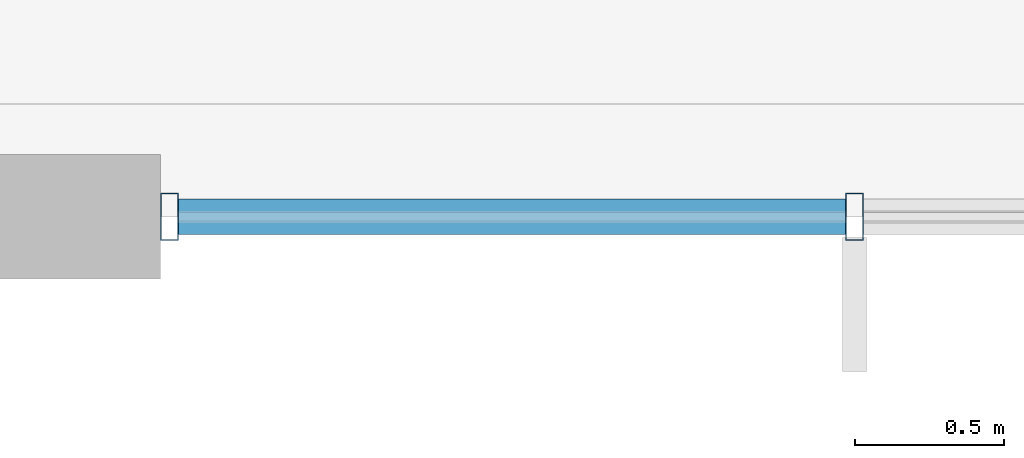
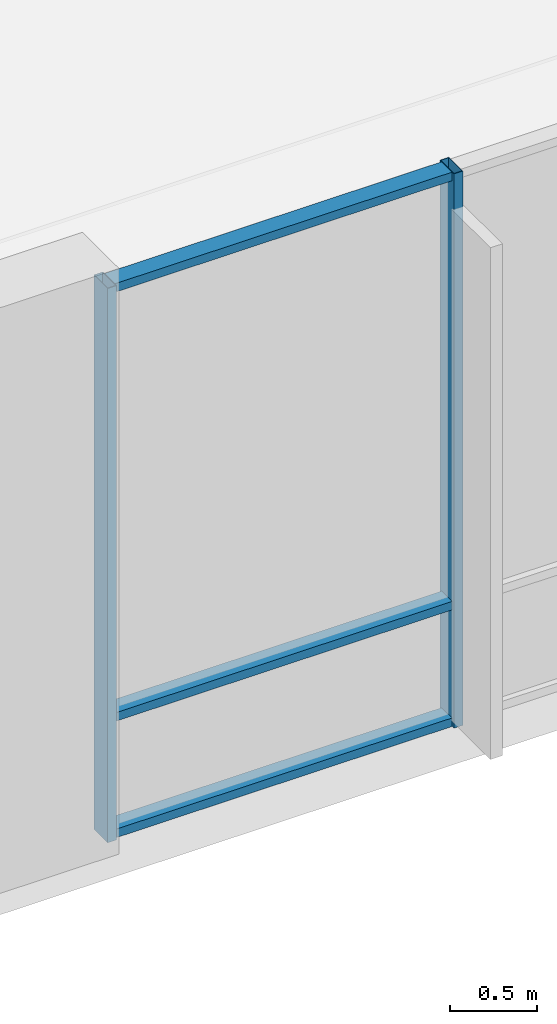
# One storey, part 39 of 233: 5 members, 1 element without a shape of its own.
"""IFC4 building model written with IfcOpenShell, lengths in metres."""

from ifc_helpers import new_model, si_unit, direction, frame, origin, origin_2d, place, context, subcontext, project, spatial, hollow_rectangle, extrude, material, material_profile, profile_set, type_object, element, aggregate, save


model = new_model("IFC4")

# Units and contexts
model_context = context("Model", 3, precision=1e-05, world=origin(), true_north=direction((0.0, 1.0)))
body_context = subcontext(model_context, "Body", "Model", "MODEL_VIEW")
ifc_project = project(units=[si_unit("LENGTHUNIT", "METRE"), si_unit("AREAUNIT", "SQUARE_METRE"), si_unit("VOLUMEUNIT", "CUBIC_METRE"), si_unit("PLANEANGLEUNIT", "RADIAN"), si_unit("MASSUNIT", "GRAM", prefix="KILO")], contexts=[model_context])

# Site, building, storey
site_placement = place(None, origin())
site = spatial("IfcSite", under=ifc_project, at=site_placement, CompositionType="ELEMENT")
building_placement = place(site_placement, origin())
building = spatial("IfcBuilding", under=site, at=building_placement, Name="Zavelmont Quarter", CompositionType="ELEMENT")
storey_placement = place(building_placement, origin())
storey = spatial("IfcBuildingStorey", under=building, at=storey_placement, Name="L00", CompositionType="ELEMENT", Elevation=0.0)

# Curtain wall, members
ifc_material_1 = material(Name="Thermally broken aluminium and double low-E safety glazing", Category="aluminium")
curtain_wall_type = type_object("IfcCurtainWallType", Name="CW-700X390", PredefinedType="NOTDEFINED", material=ifc_material_1)
curtain_wall_placement = place(storey_placement, origin())
curtain_wall = element("IfcCurtainWall", 1, at=curtain_wall_placement, inside=storey, type_object=curtain_wall_type, Name="L00 unitised curtain wall CW-700X390", PredefinedType="NOTDEFINED")
ifc_material_2 = material(Name="Powder-coated aluminium EN AW-6063-T6", Category="aluminium")
ifc_material_profile_1 = material_profile(ifc_material_2, hollow_rectangle(XDim=0.06005859375, YDim=0.159912109375, WallThickness=0.00390625, at=origin_2d()), Name="CWM60X160")
ifc_profile_set_1 = profile_set([ifc_material_profile_1], Name="Powder-coated aluminium EN AW-6063-T6")
member_type_1 = type_object("IfcMemberType", Name="CWM01", PredefinedType="MULLION", material=ifc_profile_set_1)
member_1_placement = place(storey_placement, frame((60.830078125, 0.0, 0.0), z_axis=(0.0, 0.0, 1.0), x_axis=(1.0, 0.0, 0.0)))
member_1 = element("IfcMember", 2, at=member_1_placement, type_object=member_type_1, Name="CW-700X390 mullion 1", PredefinedType="MULLION", context=body_context, shape_type="SweptSolid", body=[
    extrude(hollow_rectangle(XDim=0.06005859375, YDim=0.159912109375, WallThickness=0.00390625, at=origin_2d()), origin(), (0.0, 0.0, 1.0), 3.89990234375),
])
member_2_placement = place(storey_placement, frame((63.13330078125, 0.0, 0.0), z_axis=(0.0, 0.0, 1.0), x_axis=(1.0, 0.0, 0.0)))
member_2 = element("IfcMember", 3, at=member_2_placement, type_object=member_type_1, Name="CW-700X390 mullion 2", PredefinedType="MULLION", context=body_context, shape_type="SweptSolid", body=[
    extrude(hollow_rectangle(XDim=0.06005859375, YDim=0.159912109375, WallThickness=0.00390625, at=origin_2d()), origin(), (0.0, 0.0, 1.0), 3.89990234375),
])
ifc_material_profile_2 = material_profile(ifc_material_2, hollow_rectangle(XDim=0.1201171875, YDim=0.06005859375, WallThickness=0.00390625, at=origin_2d()), Name="CWT60X120")
ifc_profile_set_2 = profile_set([ifc_material_profile_2], Name="Powder-coated aluminium EN AW-6063-T6")
member_type_2 = type_object("IfcMemberType", Name="CWT01", PredefinedType="NOTDEFINED", material=ifc_profile_set_2)
member_3_placement = place(storey_placement, frame((60.860107421875, 0.0, 0.030029296875), z_axis=(1.0, 0.0, 0.0), x_axis=(0.0, 1.0, 0.0)))
member_3 = element("IfcMember", 4, at=member_3_placement, type_object=member_type_2, Name="CW-700X390 transom 1.1", ObjectType="TRANSOM", PredefinedType="USERDEFINED", context=body_context, shape_type="SweptSolid", body=[
    extrude(hollow_rectangle(XDim=0.1201171875, YDim=0.06005859375, WallThickness=0.00390625, at=origin_2d()), origin(), (0.0, 0.0, 1.0), 2.2431640625),
])
member_4_placement = place(storey_placement, frame((60.860107421875, 0.0, 0.85009765625), z_axis=(1.0, 0.0, 0.0), x_axis=(0.0, 1.0, 0.0)))
member_4 = element("IfcMember", 5, at=member_4_placement, type_object=member_type_2, Name="CW-700X390 transom 1.2", ObjectType="TRANSOM", PredefinedType="USERDEFINED", context=body_context, shape_type="SweptSolid", body=[
    extrude(hollow_rectangle(XDim=0.1201171875, YDim=0.06005859375, WallThickness=0.00390625, at=origin_2d()), origin(), (0.0, 0.0, 1.0), 2.2431640625),
])
member_5_placement = place(storey_placement, frame((60.860107421875, 0.0, 3.8701171875), z_axis=(1.0, 0.0, 0.0), x_axis=(0.0, 1.0, 0.0)))
member_5 = element("IfcMember", 6, at=member_5_placement, type_object=member_type_2, Name="CW-700X390 transom 1.3", ObjectType="TRANSOM", PredefinedType="USERDEFINED", context=body_context, shape_type="SweptSolid", body=[
    extrude(hollow_rectangle(XDim=0.1201171875, YDim=0.06005859375, WallThickness=0.00390625, at=origin_2d()), origin(), (0.0, 0.0, 1.0), 2.2431640625),
])
aggregate(curtain_wall, [member_1, member_2, member_3, member_4, member_5])

save(model, "model.ifc")
